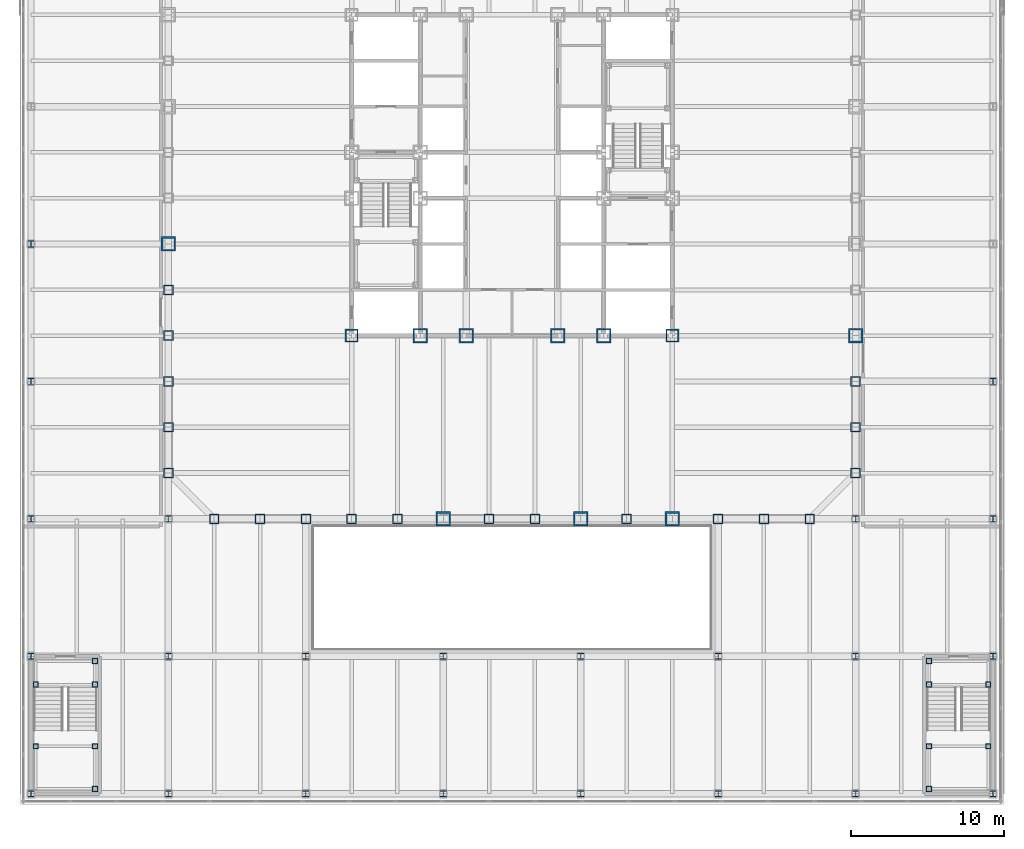
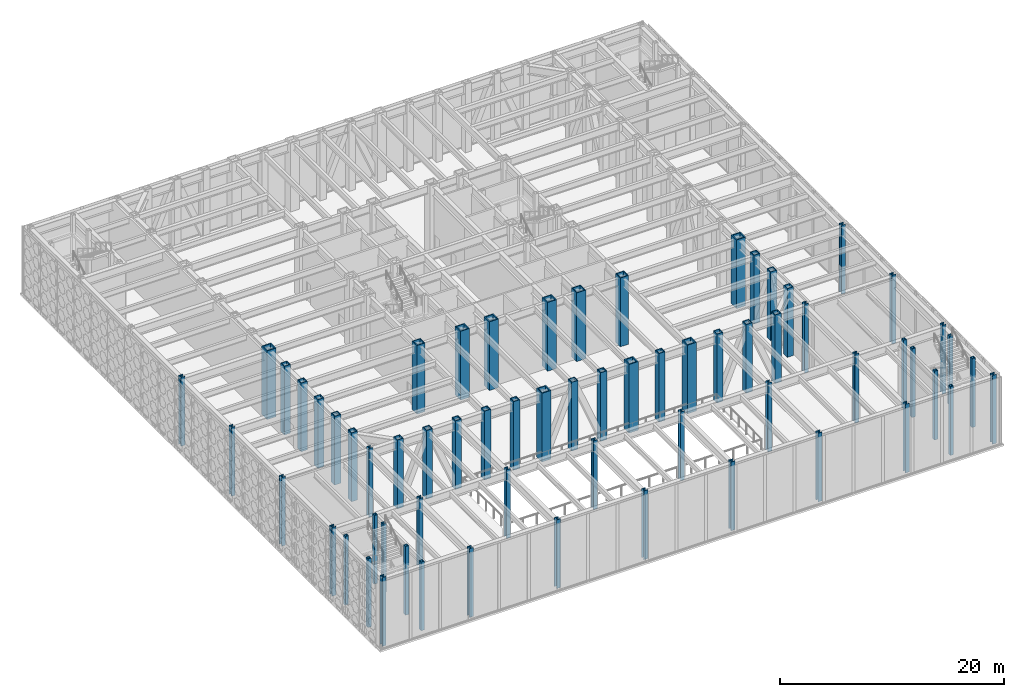
# One storey, part 1 of 34: 65 columns.
"""IFC4 building model written with IfcOpenShell, lengths in metres."""

from ifc_helpers import new_model, si_unit, direction, frame, origin, origin_2d, place, context, subcontext, project, spatial, hollow_rectangle, i_section, extrude, material, material_profile, profile_set, type_object, element, save


model = new_model("IFC4")

# Units and contexts
model_context = context("Model", 3, precision=1e-05, world=origin(), true_north=direction((0.0, 1.0)))
body_context = subcontext(model_context, "Body", "Model", "MODEL_VIEW")
ifc_project = project(units=[si_unit("LENGTHUNIT", "METRE"), si_unit("AREAUNIT", "SQUARE_METRE"), si_unit("VOLUMEUNIT", "CUBIC_METRE"), si_unit("PLANEANGLEUNIT", "RADIAN"), si_unit("MASSUNIT", "GRAM", prefix="KILO")], contexts=[model_context])

# Site, building, storey
site_placement = place(None, origin())
site = spatial("IfcSite", under=ifc_project, at=site_placement, CompositionType="ELEMENT")
building_placement = place(site_placement, origin())
building = spatial("IfcBuilding", under=site, at=building_placement, Name="Chuquiago Exchange Tower", CompositionType="ELEMENT")
storey_placement = place(building_placement, frame((0.0, 0.0, 6.0)))
storey = spatial("IfcBuildingStorey", under=building, at=storey_placement, Name="L01", CompositionType="ELEMENT", Elevation=6.0)

# Columns
ifc_material_1 = material(Name="Steel ASTM A572 Grade 50", Category="steel")
ifc_material_profile_1 = material_profile(ifc_material_1, hollow_rectangle(XDim=0.64990234375, YDim=0.64990234375, WallThickness=0.06494140625, at=origin_2d()), Name="BOX650X650X65")
ifc_profile_set_1 = profile_set([ifc_material_profile_1], Name="Steel ASTM A572 Grade 50")
column_type_1 = type_object("IfcColumnType", Name="C1 BOX650X650X65", PredefinedType="COLUMN", material=ifc_profile_set_1)
for number, where, z_axis, x_axis, name in (
    (1, (3.0, 0.0, 0.0), (0.0, 0.0, 1.0), (0.0, -1.0, 0.0), "COL-L01-3_0"),
    (2, (6.0, 0.0, 0.0), (0.0, 0.0, 1.0), (0.0, -1.0, 0.0), "COL-L01-6_0"),
    (3, (9.0, 0.0, 0.0), (0.0, 0.0, 1.0), (0.0, -1.0, 0.0), "COL-L01-9_0"),
    (4, (12.0, 0.0, 0.0), (0.0, 0.0, 1.0), (0.0, -1.0, 0.0), "COL-L01-12_0"),
    (5, (15.0, 0.0, 0.0), (0.0, 0.0, 1.0), (0.0, -1.0, 0.0), "COL-L01-15_0"),
    (6, (21.0, 0.0, 0.0), (0.0, 0.0, 1.0), (0.0, -1.0, 0.0), "COL-L01-21_0"),
    (7, (24.0, 0.0, 0.0), (0.0, 0.0, 1.0), (0.0, -1.0, 0.0), "COL-L01-24_0"),
    (8, (30.0, 0.0, 0.0), (0.0, 0.0, 1.0), (0.0, -1.0, 0.0), "COL-L01-30_0"),
    (9, (36.0, 0.0, 0.0), (0.0, 0.0, 1.0), (0.0, -1.0, 0.0), "COL-L01-36_0"),
    (10, (39.0, 0.0, 0.0), (0.0, 0.0, 1.0), (0.0, -1.0, 0.0), "COL-L01-39_0"),
    (11, (42.0, 0.0, 0.0), (0.0, 0.0, 1.0), (0.0, -1.0, 0.0), "COL-L01-42_0"),
    (12, (45.0, 3.0, 0.0), (0.0, 0.0, 1.0), (1.0, 0.0, 0.0), "COL-L01-45_3"),
    (13, (45.0, 6.0, 0.0), (0.0, 0.0, 1.0), (1.0, 0.0, 0.0), "COL-L01-45_6"),
    (14, (45.0, 9.0, 0.0), (0.0, 0.0, 1.0), (1.0, 0.0, 0.0), "COL-L01-45_9"),
    (15, (0.0, 15.0, 0.0), (0.0, 0.0, 1.0), (-1.0, 0.0, 0.0), "COL-L01-0_15"),
    (16, (0.0, 12.0, 0.0), (0.0, 0.0, 1.0), (-1.0, 0.0, 0.0), "COL-L01-0_12"),
    (17, (0.0, 9.0, 0.0), (0.0, 0.0, 1.0), (-1.0, 0.0, 0.0), "COL-L01-0_9"),
    (18, (0.0, 6.0, 0.0), (0.0, 0.0, 1.0), (-1.0, 0.0, 0.0), "COL-L01-0_6"),
    (19, (0.0, 3.0, 0.0), (0.0, 0.0, 1.0), (-1.0, 0.0, 0.0), "COL-L01-0_3"),
):
    element("IfcColumn", number, at=place(storey_placement, frame(where, z_axis=z_axis, x_axis=x_axis)), inside=storey, type_object=column_type_1, Name=name, PredefinedType="COLUMN", context=body_context, shape_type="SweptSolid", body=[
        extrude(hollow_rectangle(XDim=0.64990234375, YDim=0.64990234375, WallThickness=0.06494140625, at=origin_2d()), origin(), (0.0, 0.0, 1.0), 7.5),
    ])
ifc_material_2 = material(Name="Steel ASTM A572 Grade 50", Category="steel")
ifc_material_profile_2 = material_profile(ifc_material_2, hollow_rectangle(XDim=0.949951171875, YDim=0.949951171875, WallThickness=0.094970703125, at=origin_2d()), Name="BOX950X950X95")
ifc_profile_set_2 = profile_set([ifc_material_profile_2], Name="Steel ASTM A572 Grade 50")
column_type_2 = type_object("IfcColumnType", Name="CC1 BOX950X950X95", PredefinedType="COLUMN", material=ifc_profile_set_2)
for number, where, z_axis, x_axis, name in (
    (20, (16.5, 12.0, 0.0), (0.0, 0.0, 1.0), (1.0, 0.0, 0.0), "CCOL-L01-16.5_12"),
    (21, (19.5, 12.0, 0.0), (0.0, 0.0, 1.0), (1.0, 0.0, 0.0), "CCOL-L01-19.5_12"),
    (22, (25.5, 12.0, 0.0), (0.0, 0.0, 1.0), (1.0, 0.0, 0.0), "CCOL-L01-25.5_12"),
    (23, (28.5, 12.0, 0.0), (0.0, 0.0, 1.0), (1.0, 0.0, 0.0), "CCOL-L01-28.5_12"),
):
    element("IfcColumn", number, at=place(storey_placement, frame(where, z_axis=z_axis, x_axis=x_axis)), inside=storey, type_object=column_type_2, Name=name, PredefinedType="COLUMN", context=body_context, shape_type="SweptSolid", body=[
        extrude(hollow_rectangle(XDim=0.949951171875, YDim=0.949951171875, WallThickness=0.094970703125, at=origin_2d()), origin(), (0.0, 0.0, 1.0), 7.5),
    ])
ifc_material_3 = material(Name="Steel ASTM A572 Grade 50", Category="steel")
ifc_material_profile_3 = material_profile(ifc_material_3, hollow_rectangle(XDim=0.85009765625, YDim=0.85009765625, WallThickness=0.0849609375, at=origin_2d()), Name="BOX850X850X85")
ifc_profile_set_3 = profile_set([ifc_material_profile_3], Name="Steel ASTM A572 Grade 50")
column_type_3 = type_object("IfcColumnType", Name="CC6 BOX850X850X85", PredefinedType="COLUMN", material=ifc_profile_set_3)
for number, where, z_axis, x_axis, name in (
    (24, (12.0, 12.0, 0.0), (0.0, 0.0, 1.0), (1.0, 0.0, 0.0), "CCOL-L01-12_12"),
    (25, (33.0, 12.0, 0.0), (0.0, 0.0, 1.0), (1.0, 0.0, 0.0), "CCOL-L01-33_12"),
):
    element("IfcColumn", number, at=place(storey_placement, frame(where, z_axis=z_axis, x_axis=x_axis)), inside=storey, type_object=column_type_3, Name=name, PredefinedType="COLUMN", context=body_context, shape_type="SweptSolid", body=[
        extrude(hollow_rectangle(XDim=0.85009765625, YDim=0.85009765625, WallThickness=0.0849609375, at=origin_2d()), origin(), (0.0, 0.0, 1.0), 7.5),
    ])
ifc_material_4 = material(Name="Steel ASTM A572 Grade 42", Category="steel")
ifc_material_profile_4 = material_profile(ifc_material_4, hollow_rectangle(XDim=0.949951171875, YDim=0.949951171875, WallThickness=0.110107421875, at=origin_2d()), Name="BOX950X950X110")
ifc_profile_set_4 = profile_set([ifc_material_profile_4], Name="Steel ASTM A572 Grade 42")
column_type_4 = type_object("IfcColumnType", Name="CT1 BOX950X950X110", PredefinedType="COLUMN", material=ifc_profile_set_4)
for number, where, z_axis, x_axis, name in (
    (26, (18.0, 0.0, 0.0), (0.0, 0.0, 1.0), (0.0, -1.0, 0.0), "COL-L01-18_0"),
    (27, (27.0, 0.0, 0.0), (0.0, 0.0, 1.0), (0.0, -1.0, 0.0), "COL-L01-27_0"),
    (28, (33.0, 0.0, 0.0), (0.0, 0.0, 1.0), (0.0, -1.0, 0.0), "COL-L01-33_0"),
    (29, (45.0, 12.0, 0.0), (0.0, 0.0, 1.0), (1.0, 0.0, 0.0), "COL-L01-45_12"),
    (30, (0.0, 18.0, 0.0), (0.0, 0.0, 1.0), (-1.0, 0.0, 0.0), "COL-L01-0_18"),
):
    element("IfcColumn", number, at=place(storey_placement, frame(where, z_axis=z_axis, x_axis=x_axis)), inside=storey, type_object=column_type_4, Name=name, PredefinedType="COLUMN", context=body_context, shape_type="SweptSolid", body=[
        extrude(hollow_rectangle(XDim=0.949951171875, YDim=0.949951171875, WallThickness=0.110107421875, at=origin_2d()), origin(), (0.0, 0.0, 1.0), 7.5),
    ])
ifc_material_5 = material(Name="Steel ASTM A992", Category="steel")
ifc_material_profile_5 = material_profile(ifc_material_5, i_section(OverallWidth=0.411376953125, OverallDepth=0.434326171875, WebThickness=0.035888671875, FlangeThickness=0.057373046875, at=origin_2d()), Name="W14X311")
ifc_profile_set_5 = profile_set([ifc_material_profile_5], Name="Steel ASTM A992")
column_type_5 = type_object("IfcColumnType", Name="PC1 W14X311", PredefinedType="COLUMN", material=ifc_profile_set_5)
for number, where, z_axis, x_axis, name in (
    (31, (-9.0, -18.0, 0.0), (0.0, 0.0, 1.0), (1.0, 0.0, 0.0), "PCOL-L01--9_-18"),
    (32, (-9.0, -9.0, 0.0), (0.0, 0.0, 1.0), (1.0, 0.0, 0.0), "PCOL-L01--9_-9"),
    (33, (-9.0, 0.0, 0.0), (0.0, 0.0, 1.0), (1.0, 0.0, 0.0), "PCOL-L01--9_0"),
    (34, (-9.0, 9.0, 0.0), (0.0, 0.0, 1.0), (1.0, 0.0, 0.0), "PCOL-L01--9_9"),
    (35, (-9.0, 18.0, 0.0), (0.0, 0.0, 1.0), (1.0, 0.0, 0.0), "PCOL-L01--9_18"),
    (36, (0.0, -18.0, 0.0), (0.0, 0.0, 1.0), (1.0, 0.0, 0.0), "PCOL-L01-0_-18"),
    (37, (0.0, -9.0, 0.0), (0.0, 0.0, 1.0), (1.0, 0.0, 0.0), "PCOL-L01-0_-9"),
    (38, (0.0, 0.0, 0.0), (0.0, 0.0, 1.0), (1.0, 0.0, 0.0), "PCOL-L01-0_0"),
    (39, (9.0, -18.0, 0.0), (0.0, 0.0, 1.0), (1.0, 0.0, 0.0), "PCOL-L01-9_-18"),
    (40, (9.0, -9.0, 0.0), (0.0, 0.0, 1.0), (1.0, 0.0, 0.0), "PCOL-L01-9_-9"),
    (41, (18.0, -18.0, 0.0), (0.0, 0.0, 1.0), (1.0, 0.0, 0.0), "PCOL-L01-18_-18"),
    (42, (18.0, -9.0, 0.0), (0.0, 0.0, 1.0), (1.0, 0.0, 0.0), "PCOL-L01-18_-9"),
    (43, (27.0, -18.0, 0.0), (0.0, 0.0, 1.0), (1.0, 0.0, 0.0), "PCOL-L01-27_-18"),
    (44, (27.0, -9.0, 0.0), (0.0, 0.0, 1.0), (1.0, 0.0, 0.0), "PCOL-L01-27_-9"),
    (45, (36.0, -18.0, 0.0), (0.0, 0.0, 1.0), (1.0, 0.0, 0.0), "PCOL-L01-36_-18"),
    (46, (36.0, -9.0, 0.0), (0.0, 0.0, 1.0), (1.0, 0.0, 0.0), "PCOL-L01-36_-9"),
    (47, (45.0, -18.0, 0.0), (0.0, 0.0, 1.0), (1.0, 0.0, 0.0), "PCOL-L01-45_-18"),
    (48, (45.0, -9.0, 0.0), (0.0, 0.0, 1.0), (1.0, 0.0, 0.0), "PCOL-L01-45_-9"),
    (49, (45.0, 0.0, 0.0), (0.0, 0.0, 1.0), (1.0, 0.0, 0.0), "PCOL-L01-45_0"),
    (50, (54.0, -18.0, 0.0), (0.0, 0.0, 1.0), (1.0, 0.0, 0.0), "PCOL-L01-54_-18"),
    (51, (54.0, -9.0, 0.0), (0.0, 0.0, 1.0), (1.0, 0.0, 0.0), "PCOL-L01-54_-9"),
    (52, (54.0, 0.0, 0.0), (0.0, 0.0, 1.0), (1.0, 0.0, 0.0), "PCOL-L01-54_0"),
    (53, (54.0, 9.0, 0.0), (0.0, 0.0, 1.0), (1.0, 0.0, 0.0), "PCOL-L01-54_9"),
):
    element("IfcColumn", number, at=place(storey_placement, frame(where, z_axis=z_axis, x_axis=x_axis)), inside=storey, type_object=column_type_5, Name=name, PredefinedType="COLUMN", context=body_context, shape_type="SweptSolid", body=[
        extrude(i_section(OverallWidth=0.411376953125, OverallDepth=0.434326171875, WebThickness=0.035888671875, FlangeThickness=0.057373046875, at=origin_2d()), origin(), (0.0, 0.0, 1.0), 7.5),
    ])
ifc_material_6 = material(Name="Steel ASTM A572 Grade 50", Category="steel")
ifc_material_profile_6 = material_profile(ifc_material_6, hollow_rectangle(XDim=0.35009765625, YDim=0.35009765625, WallThickness=0.034912109375, at=origin_2d()), Name="BOX350X350X35")
ifc_profile_set_6 = profile_set([ifc_material_profile_6], Name="Steel ASTM A572 Grade 50")
column_type_6 = type_object("IfcColumnType", Name="PT3 BOX350X350X35", PredefinedType="COLUMN", material=ifc_profile_set_6)
for number, where, z_axis, x_axis, name in (
    (54, (-4.81005859375, -17.68994140625, 0.0), (0.0, 0.0, 1.0), (1.0, 0.0, 0.0), "Stair PS1 L01 landing post"),
    (55, (-8.68994140625, -14.889892578125, 0.0), (0.0, 0.0, 1.0), (1.0, 0.0, 0.0), "Stair PS1 L01 landing post"),
    (56, (-4.81005859375, -14.889892578125, 0.0), (0.0, 0.0, 1.0), (1.0, 0.0, 0.0), "Stair PS1 L01 landing post"),
    (57, (-8.68994140625, -10.85009765625, 0.0), (0.0, 0.0, 1.0), (1.0, 0.0, 0.0), "Stair PS1 L01 landing post"),
    (58, (-4.81005859375, -10.85009765625, 0.0), (0.0, 0.0, 1.0), (1.0, 0.0, 0.0), "Stair PS1 L01 landing post"),
    (59, (-4.81005859375, -9.31005859375, 0.0), (0.0, 0.0, 1.0), (1.0, 0.0, 0.0), "Stair PS1 L01 landing post"),
    (60, (49.81005859375, -17.68994140625, 0.0), (0.0, 0.0, 1.0), (1.0, 0.0, 0.0), "Stair PS2 L01 landing post"),
    (61, (49.81005859375, -14.889892578125, 0.0), (0.0, 0.0, 1.0), (1.0, 0.0, 0.0), "Stair PS2 L01 landing post"),
    (62, (53.68994140625, -14.889892578125, 0.0), (0.0, 0.0, 1.0), (1.0, 0.0, 0.0), "Stair PS2 L01 landing post"),
    (63, (49.81005859375, -10.85009765625, 0.0), (0.0, 0.0, 1.0), (1.0, 0.0, 0.0), "Stair PS2 L01 landing post"),
    (64, (53.68994140625, -10.85009765625, 0.0), (0.0, 0.0, 1.0), (1.0, 0.0, 0.0), "Stair PS2 L01 landing post"),
    (65, (49.81005859375, -9.31005859375, 0.0), (0.0, 0.0, 1.0), (1.0, 0.0, 0.0), "Stair PS2 L01 landing post"),
):
    element("IfcColumn", number, at=place(storey_placement, frame(where, z_axis=z_axis, x_axis=x_axis)), inside=storey, type_object=column_type_6, Name=name, PredefinedType="COLUMN", context=body_context, shape_type="SweptSolid", body=[
        extrude(hollow_rectangle(XDim=0.35009765625, YDim=0.35009765625, WallThickness=0.034912109375, at=origin_2d()), origin(), (0.0, 0.0, 1.0), 7.5),
    ])

save(model, "model.ifc")
